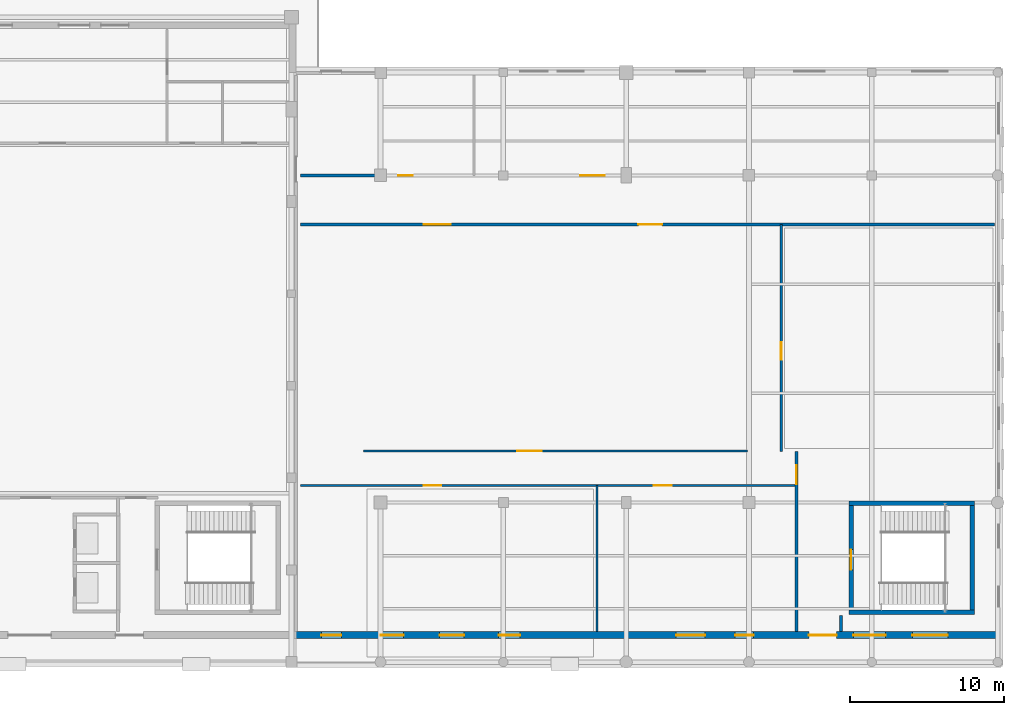
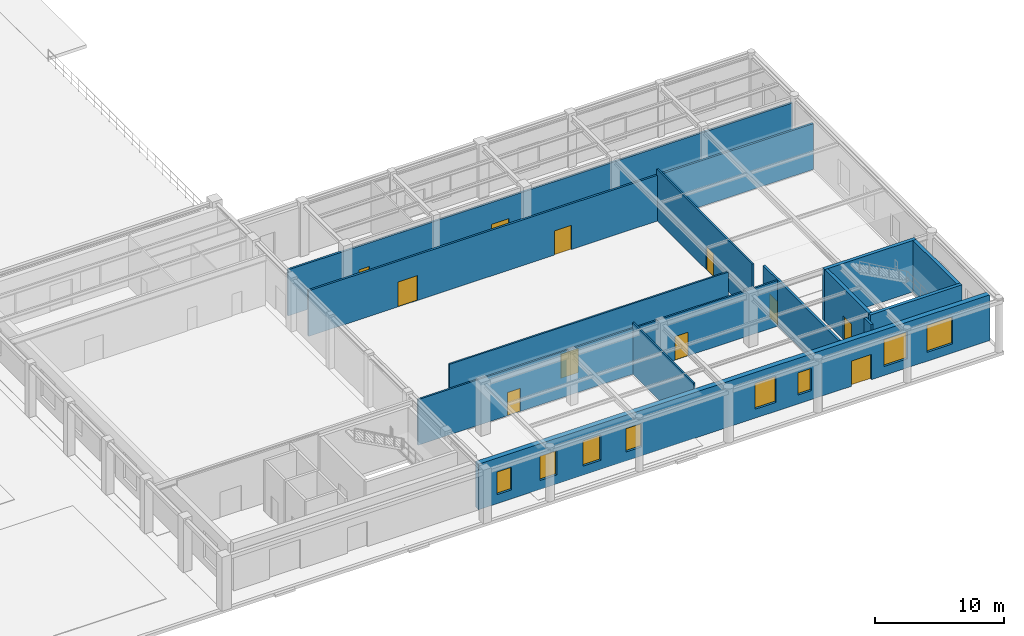
# One storey, part 49 of 68: 13 walls, 11 doors, 8 windows, 19 openings.
"""IFC4 building model written with IfcOpenShell, lengths in metres."""

import ifcopenshell
import ifcopenshell.guid

model = None  # the IFC model being written
_history = None  # IfcOwnerHistory: only IFC2X3 demands one
_inside = {}  # id of a spatial element -> (the spatial element, [elements in it])
_under = {}  # id of a project, library or spatial element -> (it, [spatial elements below it])
_declared = {}  # id of a project -> (the project, [libraries it declares])
_typed = {}  # id of a type object -> (the type object, [elements of that type])
_made_of = {}  # id of a material, layer set ... -> (it, [elements and type objects made of it])


def new_model(schema):
    """Start an empty IFC model of exactly this schema.

    Asked for "IFC4X3", IfcOpenShell would pick the latest addendum, in which some entities
    have other attributes; the version numbers below select the first issue.
    IFC2X3 requires an IfcOwnerHistory on every rooted entity: one is made here for all.
    """
    global model, _history
    if schema == "IFC4X3":
        model = ifcopenshell.file(schema_version=(4, 3, 0, 0))
    else:
        model = ifcopenshell.file(schema=schema)
    _inside.clear()
    _under.clear()
    _declared.clear()
    _typed.clear()
    _made_of.clear()
    _history = None
    if model.schema == "IFC2X3":
        org = make("IfcOrganization", Name="unknown")
        user = make(
            "IfcPersonAndOrganization",
            ThePerson=make("IfcPerson", FamilyName="unknown"),
            TheOrganization=org,
        )
        app = make(
            "IfcApplication",
            ApplicationDeveloper=org,
            Version="unknown",
            ApplicationFullName="unknown",
            ApplicationIdentifier="unknown",
        )
        _history = make(
            "IfcOwnerHistory",
            OwningUser=user,
            OwningApplication=app,
            ChangeAction="ADDED",
            CreationDate=0,
        )
    return model


def make(cls, **values):
    """One entity of the class cls with the attributes given. An attribute that is None is left unset."""
    return model.create_entity(
        cls, **{name: value for name, value in values.items() if value is not None}
    )


def rooted(cls, **values):
    """An entity with a GlobalId (a new one), such as an element, a storey or a relation."""
    return make(cls, GlobalId=ifcopenshell.guid.new(), OwnerHistory=_history, **values)


def si_unit(unit_type, name, prefix=None):
    """IfcSIUnit, for example si_unit("LENGTHUNIT", "METRE", prefix="MILLI")."""
    return make("IfcSIUnit", UnitType=unit_type, Prefix=prefix, Name=name)


def assignment(units):
    """IfcUnitAssignment: the units of a project."""
    return None if units is None else make("IfcUnitAssignment", Units=units)


def point(xyz):
    """IfcCartesianPoint."""
    return None if xyz is None else make("IfcCartesianPoint", Coordinates=xyz)


def direction(xyz):
    """IfcDirection."""
    return None if xyz is None else make("IfcDirection", DirectionRatios=xyz)


def frame(location, z_axis=None, x_axis=None):
    """IfcAxis2Placement3D, a coordinate frame: its origin and axes. An axis left out is left unset."""
    return make(
        "IfcAxis2Placement3D",
        Location=point(location),
        Axis=direction(z_axis),
        RefDirection=direction(x_axis),
    )


def frame_2d(location, x_axis=None):
    """IfcAxis2Placement2D, a coordinate frame in the plane: its origin and x axis."""
    return make(
        "IfcAxis2Placement2D", Location=point(location), RefDirection=direction(x_axis)
    )


def origin():
    """The frame at (0, 0, 0) with its axes left unset."""
    return frame((0.0, 0.0, 0.0))


def place(relative_to, where):
    """IfcLocalPlacement: puts the frame where relative to a parent placement (None: the world)."""
    return make(
        "IfcLocalPlacement", PlacementRelTo=relative_to, RelativePlacement=where
    )


def context(
    kind, dimensions, precision=None, world=None, true_north=None, identifier=None
):
    """IfcGeometricRepresentationContext, for example the 3D "Model" context."""
    return make(
        "IfcGeometricRepresentationContext",
        ContextIdentifier=identifier,
        ContextType=kind,
        CoordinateSpaceDimension=dimensions,
        Precision=precision,
        WorldCoordinateSystem=world,
        TrueNorth=true_north,
    )


def subcontext(parent, identifier, kind, view, scale=None):
    """IfcGeometricRepresentationSubContext, for example "Body" below "Model"."""
    return make(
        "IfcGeometricRepresentationSubContext",
        ContextIdentifier=identifier,
        ContextType=kind,
        ParentContext=parent,
        TargetScale=scale,
        TargetView=view,
    )


def project(units=None, contexts=None):
    """IfcProject with its units and contexts."""
    return rooted(
        "IfcProject",
        Name="project",
        RepresentationContexts=contexts,
        UnitsInContext=assignment(units),
    )


def spatial(cls, under=None, at=None, **own):
    """A site, building, storey or space (cls), placed at a placement, below another one or the project."""
    s = rooted(cls, ObjectPlacement=at, **own)
    if under is not None:
        _under.setdefault(under.id(), (under, []))[1].append(s)
    return s


def profile(cls, at=None, kind="AREA", **sizes):
    """A parametric profile (cls). Its sizes go by their IFC names, for example OverallWidth=200.0."""
    return make(cls, ProfileType=kind, Position=at, **sizes)


def rectangle(**sizes):
    """IfcRectangleProfileDef."""
    return profile("IfcRectangleProfileDef", **sizes)


def extrude(swept, where, along, depth):
    """IfcExtrudedAreaSolid: the profile swept, set in the frame where, extruded along a direction by depth."""
    return make(
        "IfcExtrudedAreaSolid",
        SweptArea=swept,
        Position=where,
        ExtrudedDirection=direction(along),
        Depth=depth,
    )


def shape(context_of_items, identifier, shape_type, items):
    """IfcShapeRepresentation: the items that make up one representation, for example the "Body"."""
    return make(
        "IfcShapeRepresentation",
        ContextOfItems=context_of_items,
        RepresentationIdentifier=identifier,
        RepresentationType=shape_type,
        Items=items,
    )


def material(Name=None, Category=None):
    """IfcMaterial."""
    return make("IfcMaterial", Name=Name, Category=Category)


def layer(
    of_material, thickness, ventilated=None, Name=None, Category=None, Priority=None
):
    """IfcMaterialLayer: one layer of a wall or slab, of a material (None: an air gap)."""
    return make(
        "IfcMaterialLayer",
        Material=of_material,
        LayerThickness=thickness,
        IsVentilated=ventilated,
        Name=Name,
        Category=Category,
        Priority=Priority,
    )


def layer_set(layers, Name=None):
    """IfcMaterialLayerSet."""
    return make("IfcMaterialLayerSet", MaterialLayers=layers, LayerSetName=Name)


def made_of(thing, what):
    """Note that an element or type object is made of a material, layer set ...; save() writes the relation."""
    if what is not None:
        _made_of.setdefault(what.id(), (what, []))[1].append(thing)
    return thing


def type_object(cls, material=None, **own):
    """A type object (cls), such as IfcWallType, which elements share."""
    return made_of(rooted(cls, **own), material)


def element(
    cls,
    number,
    at=None,
    inside=None,
    cuts=None,
    type_object=None,
    material=None,
    context=None,
    identifier="Body",
    shape_type=None,
    held_by="IfcProductDefinitionShape",
    body=None,
    shapes=None,
    **own,
):
    """One element of the class cls, such as IfcWall. Its Tag is "e" and its number.

    at: its placement. inside: the storey or other place that contains it. cuts: it is an
    opening in that element (IfcRelVoidsElement). A single representation is given by context,
    identifier, shape_type and body (its items); several are given by shapes. held_by: the class
    of the entity that holds the representations. save() writes the other relations.
    """
    e = rooted(cls, Tag="e%d" % number, ObjectPlacement=at, **own)
    if body is not None:
        shapes = [shape(context, identifier, shape_type, body)]
    if shapes is not None:
        e.Representation = make(held_by, Representations=shapes)
    if inside is not None:
        _inside.setdefault(inside.id(), (inside, []))[1].append(e)
    if cuts is not None:
        rooted(
            "IfcRelVoidsElement", RelatingBuildingElement=cuts, RelatedOpeningElement=e
        )
    if type_object is not None:
        _typed.setdefault(type_object.id(), (type_object, []))[1].append(e)
    return made_of(e, material)


def fill(opening, filler):
    """IfcRelFillsElement: the door or window that sits in an opening."""
    return rooted(
        "IfcRelFillsElement",
        RelatingOpeningElement=opening,
        RelatedBuildingElement=filler,
    )


def aggregate(whole, parts):
    """IfcRelAggregates: a whole, such as a stair, and the parts it consists of."""
    return rooted("IfcRelAggregates", RelatingObject=whole, RelatedObjects=parts)


def save(model, path):
    """Write the relations noted so far, then the file.

    IfcRelAggregates (storeys below a building ...), IfcRelContainedInSpatialStructure (elements
    in a storey), IfcRelDefinesByType, IfcRelAssociatesMaterial and IfcRelDeclares: one each for
    every whole, place, type object, material and project.
    """
    for whole, parts in _under.values():
        aggregate(whole, parts)
    for where, things in _inside.values():
        rooted(
            "IfcRelContainedInSpatialStructure",
            RelatedElements=things,
            RelatingStructure=where,
        )
    for kind, things in _typed.values():
        rooted("IfcRelDefinesByType", RelatedObjects=things, RelatingType=kind)
    for what, things in _made_of.values():
        rooted("IfcRelAssociatesMaterial", RelatedObjects=things, RelatingMaterial=what)
    for by, libraries in _declared.values():
        rooted("IfcRelDeclares", RelatingContext=by, RelatedDefinitions=libraries)
    model.write(path)


model = new_model("IFC4")

# Units and contexts
model_context = context("Model", 3, precision=1e-05, world=origin(), true_north=direction((0.0, 1.0)))
body_context = subcontext(model_context, "Body", "Model", "MODEL_VIEW")
ifc_project = project(units=[si_unit("LENGTHUNIT", "METRE"), si_unit("AREAUNIT", "SQUARE_METRE"), si_unit("VOLUMEUNIT", "CUBIC_METRE"), si_unit("PLANEANGLEUNIT", "RADIAN"), si_unit("MASSUNIT", "GRAM", prefix="KILO"), si_unit("THERMODYNAMICTEMPERATUREUNIT", "KELVIN"), si_unit("POWERUNIT", "WATT")], contexts=[model_context])

# Site, building, storey
site_placement = place(None, origin())
site = spatial("IfcSite", under=ifc_project, at=site_placement, CompositionType="ELEMENT")
building_placement = place(site_placement, origin())
building = spatial("IfcBuilding", under=site, at=building_placement, Name="Solvatero Civic Police Headquarters", CompositionType="ELEMENT")
storey_placement = place(building_placement, origin())
storey = spatial("IfcBuildingStorey", under=building, at=storey_placement, Name="L00", CompositionType="ELEMENT", Elevation=0.0)

# Wall, openings, door, windows
ifc_material_1 = material(Name="Grey Sandstone Ashlar", Category="masonry")
ifc_layer_1 = layer(ifc_material_1, 0.449951171875)
ifc_layer_set_1 = layer_set([ifc_layer_1], Name="Grey Sandstone Ashlar")
wall_type_1 = type_object("IfcWallType", Name="WL-EXT-SAND-450", PredefinedType="SOLIDWALL", material=ifc_layer_set_1)
wall_1_placement = place(storey_placement, frame((122.5, 6.550048828125, 0.0), z_axis=(0.0, 0.0, 1.0), x_axis=(1.0, 0.0, 0.0)))
wall_1 = element("IfcWall", 1, at=wall_1_placement, inside=storey, type_object=wall_type_1, Name="Exterior Wall WLE-L00-V3-S", PredefinedType="SOLIDWALL", context=body_context, shape_type="SweptSolid", body=[
    extrude(rectangle(XDim=45.780029296875, YDim=0.449951171875, at=frame_2d((22.89013671875, 0.0))), origin(), (0.0, 0.0, 1.0), 4.327880859375),
])
opening_1_placement = place(wall_1_placement, frame((35.199951171875, 0.0, 0.0), z_axis=(0.0, 0.0, 1.0), x_axis=(-1.0, 0.0, 0.0)))
opening_1 = element("IfcOpeningElement", 2, at=opening_1_placement, cuts=wall_1, Name="Opening ED-04", PredefinedType="OPENING", context=body_context, shape_type="SweptSolid", body=[
    extrude(rectangle(XDim=1.800048828125, YDim=2.39990234375, at=frame_2d((0.89990234375, 1.199951171875))), frame((0.0, 0.23486328125, 0.0), z_axis=(0.0, -1.0, 0.0), x_axis=(1.0, 0.0, 0.0)), (0.0, 0.0, 1.0), 0.469970703125),
])
opening_2_placement = place(wall_1_placement, frame((1.64990234375, 0.0, 0.85009765625)))
opening_2 = element("IfcOpeningElement", 3, at=opening_2_placement, cuts=wall_1, Name="Opening W-13", PredefinedType="OPENING", context=body_context, shape_type="SweptSolid", body=[
    extrude(rectangle(XDim=1.300048828125, YDim=2.14990234375, at=frame_2d((0.64990234375, 1.074951171875))), frame((0.0, 0.23486328125, 0.0), z_axis=(0.0, -1.0, 0.0), x_axis=(1.0, 0.0, 0.0)), (0.0, 0.0, 1.0), 0.469970703125),
])
opening_3_placement = place(wall_1_placement, frame((5.5, 0.0, 0.85009765625)))
opening_3 = element("IfcOpeningElement", 4, at=opening_3_placement, cuts=wall_1, Name="Opening W-03", PredefinedType="OPENING", context=body_context, shape_type="SweptSolid", body=[
    extrude(rectangle(XDim=1.5, YDim=2.300048828125, at=frame_2d((0.75, 1.14990234375))), frame((0.0, 0.23486328125, 0.0), z_axis=(0.0, -1.0, 0.0), x_axis=(1.0, 0.0, 0.0)), (0.0, 0.0, 1.0), 0.469970703125),
])
opening_4_placement = place(wall_1_placement, frame((9.35009765625, 0.0, 0.85009765625)))
opening_4 = element("IfcOpeningElement", 5, at=opening_4_placement, cuts=wall_1, Name="Opening W-04", PredefinedType="OPENING", context=body_context, shape_type="SweptSolid", body=[
    extrude(rectangle(XDim=1.60009765625, YDim=2.39990234375, at=frame_2d((0.800048828125, 1.199951171875))), frame((0.0, 0.23486328125, 0.0), z_axis=(0.0, -1.0, 0.0), x_axis=(1.0, 0.0, 0.0)), (0.0, 0.0, 1.0), 0.469970703125),
])
opening_5_placement = place(wall_1_placement, frame((13.199951171875, 0.0, 0.85009765625)))
opening_5 = element("IfcOpeningElement", 6, at=opening_5_placement, cuts=wall_1, Name="Opening W-02", PredefinedType="OPENING", context=body_context, shape_type="SweptSolid", body=[
    extrude(rectangle(XDim=1.39990234375, YDim=2.199951171875, at=frame_2d((0.699951171875, 1.10009765625))), frame((0.0, 0.23486328125, 0.0), z_axis=(0.0, -1.0, 0.0), x_axis=(1.0, 0.0, 0.0)), (0.0, 0.0, 1.0), 0.469970703125),
])
opening_6_placement = place(wall_1_placement, frame((24.75, 0.0, 0.85009765625)))
opening_6 = element("IfcOpeningElement", 7, at=opening_6_placement, cuts=wall_1, Name="Opening W-15", PredefinedType="OPENING", context=body_context, shape_type="SweptSolid", body=[
    extrude(rectangle(XDim=1.89990234375, YDim=2.449951171875, at=frame_2d((0.949951171875, 1.22509765625))), frame((0.0, 0.23486328125, 0.0), z_axis=(0.0, -1.0, 0.0), x_axis=(1.0, 0.0, 0.0)), (0.0, 0.0, 1.0), 0.469970703125),
])
opening_7_placement = place(wall_1_placement, frame((28.60009765625, 0.0, 0.85009765625)))
opening_7 = element("IfcOpeningElement", 8, at=opening_7_placement, cuts=wall_1, Name="Opening W-01", PredefinedType="OPENING", context=body_context, shape_type="SweptSolid", body=[
    extrude(rectangle(XDim=1.199951171875, YDim=2.10009765625, at=frame_2d((0.60009765625, 1.050048828125))), frame((0.0, 0.23486328125, 0.0), z_axis=(0.0, -1.0, 0.0), x_axis=(1.0, 0.0, 0.0)), (0.0, 0.0, 1.0), 0.469970703125),
])
opening_8_placement = place(wall_1_placement, frame((36.300048828125, 0.0, 0.85009765625)))
opening_8 = element("IfcOpeningElement", 9, at=opening_8_placement, cuts=wall_1, Name="Opening W-16", PredefinedType="OPENING", context=body_context, shape_type="SweptSolid", body=[
    extrude(rectangle(XDim=2.10009765625, YDim=2.550048828125, at=frame_2d((1.050048828125, 1.27490234375))), frame((0.0, 0.23486328125, 0.0), z_axis=(0.0, -1.0, 0.0), x_axis=(1.0, 0.0, 0.0)), (0.0, 0.0, 1.0), 0.469970703125),
])
opening_9_placement = place(wall_1_placement, frame((40.14990234375, 0.0, 0.85009765625)))
opening_9 = element("IfcOpeningElement", 10, at=opening_9_placement, cuts=wall_1, Name="Opening W-17", PredefinedType="OPENING", context=body_context, shape_type="SweptSolid", body=[
    extrude(rectangle(XDim=2.300048828125, YDim=2.550048828125, at=frame_2d((1.14990234375, 1.27490234375))), frame((0.0, 0.23486328125, 0.0), z_axis=(0.0, -1.0, 0.0), x_axis=(1.0, 0.0, 0.0)), (0.0, 0.0, 1.0), 0.469970703125),
])
ifc_material_2 = material(Name="Anodized Bronze Aluminium and Laminated Glass", Category="aluminium")
door_type_1 = type_object("IfcDoorType", Name="DR-EXT-180x240", OperationType="DOUBLE_DOOR_SINGLE_SWING", PredefinedType="DOOR", material=ifc_material_2)
door_1_placement = place(opening_1_placement, origin())
door_1 = element("IfcDoor", 11, at=door_1_placement, inside=storey, type_object=door_type_1, Name="Exterior Door DR-L00-C6-EXIT", OperationType="DOUBLE_DOOR_SINGLE_SWING", OverallHeight=2.39990234375, OverallWidth=1.800048828125, PredefinedType="DOOR", context=body_context, shape_type="SweptSolid", body=[
    extrude(rectangle(XDim=1.800048828125, YDim=2.39990234375, at=frame_2d((0.89990234375, 1.199951171875))), frame((0.0, 0.02490234375, 0.0), z_axis=(0.0, -1.0, 0.0), x_axis=(1.0, 0.0, 0.0)), (0.0, 0.0, 1.0), 0.050048828125),
])
fill(opening_1, door_1)
ifc_material_3 = material(Name="Anodized Bronze Aluminium", Category="aluminium")
window_type_1 = type_object("IfcWindowType", Name="WN-CL-120x210", PartitioningType="SINGLE_PANEL", PredefinedType="WINDOW", material=ifc_material_3)
window_1_placement = place(opening_7_placement, origin())
window_1 = element("IfcWindow", 12, at=window_1_placement, inside=storey, type_object=window_type_1, Name="Exterior Window 0236", OverallHeight=2.10009765625, OverallWidth=1.199951171875, PartitioningType="SINGLE_PANEL", PredefinedType="WINDOW", context=body_context, shape_type="SweptSolid", body=[
    extrude(rectangle(XDim=1.199951171875, YDim=2.10009765625, at=frame_2d((0.60009765625, 1.050048828125))), frame((0.0, 0.030029296875, 0.0), z_axis=(0.0, -1.0, 0.0), x_axis=(1.0, 0.0, 0.0)), (0.0, 0.0, 1.0), 0.06005859375),
])
fill(opening_7, window_1)
window_type_2 = type_object("IfcWindowType", Name="WN-CL-130x215", PartitioningType="SINGLE_PANEL", PredefinedType="WINDOW", material=ifc_material_3)
window_2_placement = place(opening_2_placement, origin())
window_2 = element("IfcWindow", 13, at=window_2_placement, inside=storey, type_object=window_type_2, Name="Exterior Window 0231", OverallHeight=2.14990234375, OverallWidth=1.300048828125, PartitioningType="SINGLE_PANEL", PredefinedType="WINDOW", context=body_context, shape_type="SweptSolid", body=[
    extrude(rectangle(XDim=1.300048828125, YDim=2.14990234375, at=frame_2d((0.64990234375, 1.074951171875))), frame((0.0, 0.030029296875, 0.0), z_axis=(0.0, -1.0, 0.0), x_axis=(1.0, 0.0, 0.0)), (0.0, 0.0, 1.0), 0.06005859375),
])
fill(opening_2, window_2)
window_type_3 = type_object("IfcWindowType", Name="WN-CL-140x220", PartitioningType="SINGLE_PANEL", PredefinedType="WINDOW", material=ifc_material_3)
window_3_placement = place(opening_5_placement, origin())
window_3 = element("IfcWindow", 14, at=window_3_placement, inside=storey, type_object=window_type_3, Name="Exterior Window 0234", OverallHeight=2.199951171875, OverallWidth=1.39990234375, PartitioningType="SINGLE_PANEL", PredefinedType="WINDOW", context=body_context, shape_type="SweptSolid", body=[
    extrude(rectangle(XDim=1.39990234375, YDim=2.199951171875, at=frame_2d((0.699951171875, 1.10009765625))), frame((0.0, 0.030029296875, 0.0), z_axis=(0.0, -1.0, 0.0), x_axis=(1.0, 0.0, 0.0)), (0.0, 0.0, 1.0), 0.06005859375),
])
fill(opening_5, window_3)
window_type_4 = type_object("IfcWindowType", Name="WN-CL-150x230", PartitioningType="SINGLE_PANEL", PredefinedType="WINDOW", material=ifc_material_3)
window_4_placement = place(opening_3_placement, origin())
window_4 = element("IfcWindow", 15, at=window_4_placement, inside=storey, type_object=window_type_4, Name="Exterior Window 0232", OverallHeight=2.300048828125, OverallWidth=1.5, PartitioningType="SINGLE_PANEL", PredefinedType="WINDOW", context=body_context, shape_type="SweptSolid", body=[
    extrude(rectangle(XDim=1.5, YDim=2.300048828125, at=frame_2d((0.75, 1.14990234375))), frame((0.0, 0.030029296875, 0.0), z_axis=(0.0, -1.0, 0.0), x_axis=(1.0, 0.0, 0.0)), (0.0, 0.0, 1.0), 0.06005859375),
])
fill(opening_3, window_4)
window_type_5 = type_object("IfcWindowType", Name="WN-CL-160x240", PartitioningType="SINGLE_PANEL", PredefinedType="WINDOW", material=ifc_material_3)
window_5_placement = place(opening_4_placement, origin())
window_5 = element("IfcWindow", 16, at=window_5_placement, inside=storey, type_object=window_type_5, Name="Exterior Window 0233", OverallHeight=2.39990234375, OverallWidth=1.60009765625, PartitioningType="SINGLE_PANEL", PredefinedType="WINDOW", context=body_context, shape_type="SweptSolid", body=[
    extrude(rectangle(XDim=1.60009765625, YDim=2.39990234375, at=frame_2d((0.800048828125, 1.199951171875))), frame((0.0, 0.030029296875, 0.0), z_axis=(0.0, -1.0, 0.0), x_axis=(1.0, 0.0, 0.0)), (0.0, 0.0, 1.0), 0.06005859375),
])
fill(opening_4, window_5)
window_type_6 = type_object("IfcWindowType", Name="WN-CL-190x245", PartitioningType="SINGLE_PANEL", PredefinedType="WINDOW", material=ifc_material_3)
window_6_placement = place(opening_6_placement, origin())
window_6 = element("IfcWindow", 17, at=window_6_placement, inside=storey, type_object=window_type_6, Name="Exterior Window 0235", OverallHeight=2.449951171875, OverallWidth=1.89990234375, PartitioningType="SINGLE_PANEL", PredefinedType="WINDOW", context=body_context, shape_type="SweptSolid", body=[
    extrude(rectangle(XDim=1.89990234375, YDim=2.449951171875, at=frame_2d((0.949951171875, 1.22509765625))), frame((0.0, 0.030029296875, 0.0), z_axis=(0.0, -1.0, 0.0), x_axis=(1.0, 0.0, 0.0)), (0.0, 0.0, 1.0), 0.06005859375),
])
fill(opening_6, window_6)
window_type_7 = type_object("IfcWindowType", Name="WN-CL-210x255", PartitioningType="SINGLE_PANEL", PredefinedType="WINDOW", material=ifc_material_3)
window_7_placement = place(opening_8_placement, origin())
window_7 = element("IfcWindow", 18, at=window_7_placement, inside=storey, type_object=window_type_7, Name="Exterior Window 0237", OverallHeight=2.550048828125, OverallWidth=2.10009765625, PartitioningType="SINGLE_PANEL", PredefinedType="WINDOW", context=body_context, shape_type="SweptSolid", body=[
    extrude(rectangle(XDim=2.10009765625, YDim=2.550048828125, at=frame_2d((1.050048828125, 1.27490234375))), frame((0.0, 0.030029296875, 0.0), z_axis=(0.0, -1.0, 0.0), x_axis=(1.0, 0.0, 0.0)), (0.0, 0.0, 1.0), 0.06005859375),
])
fill(opening_8, window_7)
window_type_8 = type_object("IfcWindowType", Name="WN-CL-230x255", PartitioningType="SINGLE_PANEL", PredefinedType="WINDOW", material=ifc_material_3)
window_8_placement = place(opening_9_placement, origin())
window_8 = element("IfcWindow", 19, at=window_8_placement, inside=storey, type_object=window_type_8, Name="Exterior Window 0238", OverallHeight=2.550048828125, OverallWidth=2.300048828125, PartitioningType="SINGLE_PANEL", PredefinedType="WINDOW", context=body_context, shape_type="SweptSolid", body=[
    extrude(rectangle(XDim=2.300048828125, YDim=2.550048828125, at=frame_2d((1.14990234375, 1.27490234375))), frame((0.0, 0.030029296875, 0.0), z_axis=(0.0, -1.0, 0.0), x_axis=(1.0, 0.0, 0.0)), (0.0, 0.0, 1.0), 0.06005859375),
])
fill(opening_9, window_8)

# Wall
ifc_material_4 = material(Name="Gypsum Double-Stud", Category="gypsum")
ifc_layer_2 = layer(ifc_material_4, 0.135009765625)
ifc_layer_set_2 = layer_set([ifc_layer_2], Name="Gypsum Double-Stud")
wall_type_2 = type_object("IfcWallType", Name="WL-PTN-135", PredefinedType="PARTITIONING", material=ifc_layer_set_2)
wall_2_placement = place(storey_placement, frame((142.10009765625, 6.800048828125, 0.0), z_axis=(0.0, 0.0, 1.0), x_axis=(0.0, 1.0, 0.0)))
element("IfcWall", 20, at=wall_2_placement, inside=storey, type_object=wall_type_2, Name="Interior Partition WLP-L00-LCK-DIV", PredefinedType="PARTITIONING", context=body_context, shape_type="SweptSolid", body=[
    extrude(rectangle(XDim=9.5, YDim=0.135009765625, at=frame_2d((4.75, 0.0))), origin(), (0.0, 0.0, 1.0), 4.860107421875),
])

# Wall, openings, doors
ifc_material_5 = material(Name="Gypsum Acoustic Stud", Category="gypsum")
ifc_layer_3 = layer(ifc_material_5, 0.14990234375)
ifc_layer_set_3 = layer_set([ifc_layer_3], Name="Gypsum Acoustic Stud")
wall_type_3 = type_object("IfcWallType", Name="WL-PTN-150", PredefinedType="PARTITIONING", material=ifc_layer_set_3)
wall_3_placement = place(storey_placement, frame((122.800048828125, 16.300048828125, 0.0), z_axis=(0.0, 0.0, 1.0), x_axis=(1.0, 0.0, 0.0)))
wall_3 = element("IfcWall", 21, at=wall_3_placement, inside=storey, type_object=wall_type_3, Name="Interior Partition WLP-L00-LCK-N", PredefinedType="PARTITIONING", context=body_context, shape_type="SweptSolid", body=[
    extrude(rectangle(XDim=32.199951171875, YDim=0.14990234375, at=frame_2d((16.10009765625, 0.0))), origin(), (0.0, 0.0, 1.0), 4.327880859375),
])
opening_10_placement = place(wall_3_placement, frame((8.0, 0.0, 0.0)))
opening_10 = element("IfcOpeningElement", 22, at=opening_10_placement, cuts=wall_3, Name="Opening ID-10", PredefinedType="OPENING", context=body_context, shape_type="SweptSolid", body=[
    extrude(rectangle(XDim=1.14990234375, YDim=2.199951171875, at=frame_2d((0.574951171875, 1.10009765625))), frame((0.0, 0.0849609375, 0.0), z_axis=(0.0, -1.0, 0.0), x_axis=(1.0, 0.0, 0.0)), (0.0, 0.0, 1.0), 0.169921875),
])
opening_11_placement = place(wall_3_placement, frame((23.0, 0.0, 0.0)))
opening_11 = element("IfcOpeningElement", 23, at=opening_11_placement, cuts=wall_3, Name="Opening ID-11", PredefinedType="OPENING", context=body_context, shape_type="SweptSolid", body=[
    extrude(rectangle(XDim=1.179931640625, YDim=2.239990234375, at=frame_2d((0.58984375, 1.1201171875))), frame((0.0, 0.0849609375, 0.0), z_axis=(0.0, -1.0, 0.0), x_axis=(1.0, 0.0, 0.0)), (0.0, 0.0, 1.0), 0.169921875),
])
ifc_material_6 = material(Name="Powder-Coated Steel", Category="steel")
door_type_2 = type_object("IfcDoorType", Name="DR-COR-115x220", OperationType="NOTDEFINED", PredefinedType="DOOR", material=ifc_material_6)
door_2_placement = place(opening_10_placement, origin())
door_2 = element("IfcDoor", 24, at=door_2_placement, inside=storey, type_object=door_type_2, Name="Interior Door DR-L00-LCKM", OperationType="SINGLE_SWING_LEFT", OverallHeight=2.199951171875, OverallWidth=1.14990234375, PredefinedType="DOOR", context=body_context, shape_type="SweptSolid", body=[
    extrude(rectangle(XDim=1.14990234375, YDim=2.199951171875, at=frame_2d((0.574951171875, 1.10009765625))), frame((0.0, 0.02490234375, 0.0), z_axis=(0.0, -1.0, 0.0), x_axis=(1.0, 0.0, 0.0)), (0.0, 0.0, 1.0), 0.050048828125),
])
fill(opening_10, door_2)
door_type_3 = type_object("IfcDoorType", Name="DR-COR-118x224", OperationType="NOTDEFINED", PredefinedType="DOOR", material=ifc_material_6)
door_3_placement = place(opening_11_placement, origin())
door_3 = element("IfcDoor", 25, at=door_3_placement, inside=storey, type_object=door_type_3, Name="Interior Door DR-L00-LCKF", OperationType="SINGLE_SWING_RIGHT", OverallHeight=2.239990234375, OverallWidth=1.179931640625, PredefinedType="DOOR", context=body_context, shape_type="SweptSolid", body=[
    extrude(rectangle(XDim=1.179931640625, YDim=2.239990234375, at=frame_2d((0.58984375, 1.1201171875))), frame((0.0, 0.02490234375, 0.0), z_axis=(0.0, -1.0, 0.0), x_axis=(1.0, 0.0, 0.0)), (0.0, 0.0, 1.0), 0.050048828125),
])
fill(opening_11, door_3)

# Wall, opening, door
wall_4_placement = place(storey_placement, frame((126.89990234375, 18.550048828125, 0.0), z_axis=(0.0, 0.0, 1.0), x_axis=(1.0, 0.0, 0.0)))
wall_4 = element("IfcWall", 26, at=wall_4_placement, inside=storey, type_object=wall_type_3, Name="Interior Partition WLP-L00-GYM-SH", PredefinedType="PARTITIONING", context=body_context, shape_type="SweptSolid", body=[
    extrude(rectangle(XDim=25.0, YDim=0.14990234375, at=frame_2d((12.5, 0.0))), origin(), (0.0, 0.0, 1.0), 4.860107421875),
])
opening_12_placement = place(wall_4_placement, frame((10.0, 0.0, 0.0)))
opening_12 = element("IfcOpeningElement", 27, at=opening_12_placement, cuts=wall_4, Name="Opening ID-15", PredefinedType="OPENING", context=body_context, shape_type="SweptSolid", body=[
    extrude(rectangle(XDim=1.60009765625, YDim=2.300048828125, at=frame_2d((0.800048828125, 1.14990234375))), frame((0.0, 0.0849609375, 0.0), z_axis=(0.0, -1.0, 0.0), x_axis=(1.0, 0.0, 0.0)), (0.0, 0.0, 1.0), 0.169921875),
])
door_type_4 = type_object("IfcDoorType", Name="DR-DBL-160x230", OperationType="NOTDEFINED", PredefinedType="DOOR", material=ifc_material_6)
door_4_placement = place(opening_12_placement, origin())
door_4 = element("IfcDoor", 28, at=door_4_placement, inside=storey, type_object=door_type_4, Name="Interior Door DR-L00-GYMS", OperationType="DOUBLE_DOOR_SINGLE_SWING", OverallHeight=2.300048828125, OverallWidth=1.60009765625, PredefinedType="DOOR", context=body_context, shape_type="SweptSolid", body=[
    extrude(rectangle(XDim=1.60009765625, YDim=2.300048828125, at=frame_2d((0.800048828125, 1.14990234375))), frame((0.0, 0.02490234375, 0.0), z_axis=(0.0, -1.0, 0.0), x_axis=(1.0, 0.0, 0.0)), (0.0, 0.0, 1.0), 0.050048828125),
])
fill(opening_12, door_4)

wall_5_placement = place(storey_placement, frame((154.10009765625, 18.5, 0.0), z_axis=(0.0, 0.0, 1.0), x_axis=(0.0, 1.0, 0.0)))
wall_5 = element("IfcWall", 29, at=wall_5_placement, inside=storey, type_object=wall_type_3, Name="Interior Partition WLP-L00-GYM-E", PredefinedType="PARTITIONING", context=body_context, shape_type="SweptSolid", body=[
    extrude(rectangle(XDim=14.800048828125, YDim=0.14990234375, at=frame_2d((7.39990234375, 0.0))), origin(), (0.0, 0.0, 1.0), 4.860107421875),
])
opening_13_placement = place(wall_5_placement, frame((6.0, 0.0, 0.0)))
opening_13 = element("IfcOpeningElement", 30, at=opening_13_placement, cuts=wall_5, Name="Opening ID-09", PredefinedType="OPENING", context=body_context, shape_type="SweptSolid", body=[
    extrude(rectangle(XDim=1.1201171875, YDim=2.199951171875, at=frame_2d((0.56005859375, 1.10009765625))), frame((0.0, 0.0849609375, 0.0), z_axis=(0.0, -1.0, 0.0), x_axis=(1.0, 0.0, 0.0)), (0.0, 0.0, 1.0), 0.169921875),
])
door_type_5 = type_object("IfcDoorType", Name="DR-PLT-112x220", OperationType="NOTDEFINED", PredefinedType="DOOR", material=ifc_material_6)
door_5_placement = place(opening_13_placement, origin())
door_5 = element("IfcDoor", 31, at=door_5_placement, inside=storey, type_object=door_type_5, Name="Interior Door DR-L00-GYMST", OperationType="SINGLE_SWING_LEFT", OverallHeight=2.199951171875, OverallWidth=1.1201171875, PredefinedType="DOOR", context=body_context, shape_type="SweptSolid", body=[
    extrude(rectangle(XDim=1.1201171875, YDim=2.199951171875, at=frame_2d((0.56005859375, 1.10009765625))), frame((0.0, 0.02490234375, 0.0), z_axis=(0.0, -1.0, 0.0), x_axis=(1.0, 0.0, 0.0)), (0.0, 0.0, 1.0), 0.050048828125),
])
fill(opening_13, door_5)

# Wall, openings, doors
ifc_material_7 = material(Name="Concrete Blockwork", Category="masonry")
ifc_layer_4 = layer(ifc_material_7, 0.179931640625)
ifc_layer_set_4 = layer_set([ifc_layer_4], Name="Concrete Blockwork")
wall_type_4 = type_object("IfcWallType", Name="WL-PTN-180", PredefinedType="PARTITIONING", material=ifc_layer_set_4)
wall_6_placement = place(storey_placement, frame((122.800048828125, 33.300048828125, 0.0), z_axis=(0.0, 0.0, 1.0), x_axis=(1.0, 0.0, 0.0)))
wall_6 = element("IfcWall", 32, at=wall_6_placement, inside=storey, type_object=wall_type_4, Name="Interior Partition WLP-L00-GYM-N", PredefinedType="PARTITIONING", context=body_context, shape_type="SweptSolid", body=[
    extrude(rectangle(XDim=45.199951171875, YDim=0.179931640625, at=frame_2d((22.60009765625, 0.0))), origin(), (0.0, 0.0, 1.0), 4.327880859375),
])
opening_14_placement = place(wall_6_placement, frame((8.0, 0.0, 0.0)))
opening_14 = element("IfcOpeningElement", 33, at=opening_14_placement, cuts=wall_6, Name="Opening ID-17", PredefinedType="OPENING", context=body_context, shape_type="SweptSolid", body=[
    extrude(rectangle(XDim=1.760009765625, YDim=2.360107421875, at=frame_2d((0.8798828125, 1.18017578125))), frame((0.0, 0.099853515625, 0.0), z_axis=(0.0, -1.0, 0.0), x_axis=(1.0, 0.0, 0.0)), (0.0, 0.0, 1.0), 0.199951171875),
])
opening_15_placement = place(wall_6_placement, frame((22.0, 0.0, 0.0)))
opening_15 = element("IfcOpeningElement", 34, at=opening_15_placement, cuts=wall_6, Name="Opening ID-14", PredefinedType="OPENING", context=body_context, shape_type="SweptSolid", body=[
    extrude(rectangle(XDim=1.5400390625, YDim=2.300048828125, at=frame_2d((0.77001953125, 1.14990234375))), frame((0.0, 0.099853515625, 0.0), z_axis=(0.0, -1.0, 0.0), x_axis=(1.0, 0.0, 0.0)), (0.0, 0.0, 1.0), 0.199951171875),
])
door_type_6 = type_object("IfcDoorType", Name="DR-DBL-154x230", OperationType="NOTDEFINED", PredefinedType="DOOR", material=ifc_material_6)
door_6_placement = place(opening_15_placement, origin())
door_6 = element("IfcDoor", 35, at=door_6_placement, inside=storey, type_object=door_type_6, Name="Interior Door DR-L00-GYM2", OperationType="DOUBLE_DOOR_SINGLE_SWING", OverallHeight=2.300048828125, OverallWidth=1.5400390625, PredefinedType="DOOR", context=body_context, shape_type="SweptSolid", body=[
    extrude(rectangle(XDim=1.5400390625, YDim=2.300048828125, at=frame_2d((0.77001953125, 1.14990234375))), frame((0.0, 0.02490234375, 0.0), z_axis=(0.0, -1.0, 0.0), x_axis=(1.0, 0.0, 0.0)), (0.0, 0.0, 1.0), 0.050048828125),
])
fill(opening_15, door_6)
door_type_7 = type_object("IfcDoorType", Name="DR-DBL-176x236", OperationType="NOTDEFINED", PredefinedType="DOOR", material=ifc_material_6)
door_7_placement = place(opening_14_placement, origin())
door_7 = element("IfcDoor", 36, at=door_7_placement, inside=storey, type_object=door_type_7, Name="Interior Door DR-L00-GYM1", OperationType="DOUBLE_DOOR_SINGLE_SWING", OverallHeight=2.360107421875, OverallWidth=1.760009765625, PredefinedType="DOOR", context=body_context, shape_type="SweptSolid", body=[
    extrude(rectangle(XDim=1.760009765625, YDim=2.360107421875, at=frame_2d((0.8798828125, 1.18017578125))), frame((0.0, 0.02490234375, 0.0), z_axis=(0.0, -1.0, 0.0), x_axis=(1.0, 0.0, 0.0)), (0.0, 0.0, 1.0), 0.050048828125),
])
fill(opening_14, door_7)

wall_7_placement = place(storey_placement, frame((122.800048828125, 36.5, 0.0), z_axis=(0.0, 0.0, 1.0), x_axis=(1.0, 0.0, 0.0)))
wall_7 = element("IfcWall", 37, at=wall_7_placement, inside=storey, type_object=wall_type_4, Name="Interior Partition WLP-L00-GYM-N2", PredefinedType="PARTITIONING", context=body_context, shape_type="SweptSolid", body=[
    extrude(rectangle(XDim=45.199951171875, YDim=0.179931640625, at=frame_2d((22.60009765625, 0.0))), origin(), (0.0, 0.0, 1.0), 4.3701171875),
])
opening_16_placement = place(wall_7_placement, frame((6.35009765625, 0.0, 0.0)))
opening_16 = element("IfcOpeningElement", 38, at=opening_16_placement, cuts=wall_7, Name="Opening ID-04", PredefinedType="OPENING", context=body_context, shape_type="SweptSolid", body=[
    extrude(rectangle(XDim=0.949951171875, YDim=2.14990234375, at=frame_2d((0.47509765625, 1.074951171875))), frame((0.0, 0.099853515625, 0.0), z_axis=(0.0, -1.0, 0.0), x_axis=(1.0, 0.0, 0.0)), (0.0, 0.0, 1.0), 0.199951171875),
])
opening_17_placement = place(wall_7_placement, frame((18.199951171875, 0.0, 0.0)))
opening_17 = element("IfcOpeningElement", 39, at=opening_17_placement, cuts=wall_7, Name="Opening ID-15", PredefinedType="OPENING", context=body_context, shape_type="SweptSolid", body=[
    extrude(rectangle(XDim=1.60009765625, YDim=2.300048828125, at=frame_2d((0.800048828125, 1.14990234375))), frame((0.0, 0.099853515625, 0.0), z_axis=(0.0, -1.0, 0.0), x_axis=(1.0, 0.0, 0.0)), (0.0, 0.0, 1.0), 0.199951171875),
])
ifc_material_8 = material(Name="Acoustic Oak Timber Veneer", Category="wood")
door_type_8 = type_object("IfcDoorType", Name="DR-ACC-095x215", OperationType="NOTDEFINED", PredefinedType="DOOR", material=ifc_material_8)
door_8_placement = place(opening_16_placement, origin())
door_8 = element("IfcDoor", 40, at=door_8_placement, inside=storey, type_object=door_type_8, Name="Interior Door DR-L00-PHYSIO", OperationType="SINGLE_SWING_RIGHT", OverallHeight=2.14990234375, OverallWidth=0.949951171875, PredefinedType="DOOR", context=body_context, shape_type="SweptSolid", body=[
    extrude(rectangle(XDim=0.949951171875, YDim=2.14990234375, at=frame_2d((0.47509765625, 1.074951171875))), frame((0.0, 0.02490234375, 0.0), z_axis=(0.0, -1.0, 0.0), x_axis=(1.0, 0.0, 0.0)), (0.0, 0.0, 1.0), 0.050048828125),
])
fill(opening_16, door_8)
door_9_placement = place(opening_17_placement, origin())
door_9 = element("IfcDoor", 41, at=door_9_placement, inside=storey, type_object=door_type_4, Name="Interior Door DR-L00-CARDIO", OperationType="DOUBLE_DOOR_SINGLE_SWING", OverallHeight=2.300048828125, OverallWidth=1.60009765625, PredefinedType="DOOR", context=body_context, shape_type="SweptSolid", body=[
    extrude(rectangle(XDim=1.60009765625, YDim=2.300048828125, at=frame_2d((0.800048828125, 1.14990234375))), frame((0.0, 0.02490234375, 0.0), z_axis=(0.0, -1.0, 0.0), x_axis=(1.0, 0.0, 0.0)), (0.0, 0.0, 1.0), 0.050048828125),
])
fill(opening_17, door_9)

# Wall, opening, door
ifc_layer_5 = layer(ifc_material_7, 0.199951171875)
ifc_layer_set_5 = layer_set([ifc_layer_5], Name="Concrete Blockwork")
wall_type_5 = type_object("IfcWallType", Name="WL-PTN-200", PredefinedType="PARTITIONING", material=ifc_layer_set_5)
wall_8_placement = place(storey_placement, frame((155.10009765625, 6.780029296875, 0.0), z_axis=(0.0, 0.0, 1.0), x_axis=(0.0, 1.0, 0.0)))
wall_8 = element("IfcWall", 42, at=wall_8_placement, inside=storey, type_object=wall_type_5, Name="Interior Partition WLP-L00-EXIT-C6-W", PredefinedType="PARTITIONING", context=body_context, shape_type="SweptSolid", body=[
    extrude(rectangle(XDim=11.719970703125, YDim=0.199951171875, at=frame_2d((5.85986328125, 0.0))), origin(), (0.0, 0.0, 1.0), 4.367919921875),
])
opening_18_placement = place(wall_8_placement, frame((9.60009765625, 0.0, 0.0)))
opening_18 = element("IfcOpeningElement", 43, at=opening_18_placement, cuts=wall_8, Name="Opening FD-01", PredefinedType="OPENING", context=body_context, shape_type="SweptSolid", body=[
    extrude(rectangle(XDim=1.25, YDim=2.199951171875, at=frame_2d((0.625, 1.10009765625))), frame((0.0, 0.10986328125, 0.0), z_axis=(0.0, -1.0, 0.0), x_axis=(1.0, 0.0, 0.0)), (0.0, 0.0, 1.0), 0.219970703125),
])
door_type_9 = type_object("IfcDoorType", Name="DR-STR-125x220", OperationType="NOTDEFINED", PredefinedType="DOOR", material=ifc_material_6)
door_10_placement = place(opening_18_placement, origin())
door_10 = element("IfcDoor", 44, at=door_10_placement, inside=storey, type_object=door_type_9, Name="Interior Door DR-L00-C6PASS-IN", OperationType="SINGLE_SWING_LEFT", OverallHeight=2.199951171875, OverallWidth=1.25, PredefinedType="DOOR", context=body_context, shape_type="SweptSolid", body=[
    extrude(rectangle(XDim=1.25, YDim=2.199951171875, at=frame_2d((0.625, 1.10009765625))), frame((0.0, 0.02490234375, 0.0), z_axis=(0.0, -1.0, 0.0), x_axis=(1.0, 0.0, 0.0)), (0.0, 0.0, 1.0), 0.050048828125),
])
fill(opening_18, door_10)

# Walls
wall_9_placement = place(storey_placement, frame((158.0, 6.780029296875, 0.0), z_axis=(0.0, 0.0, 1.0), x_axis=(0.0, 1.0, 0.0)))
element("IfcWall", 45, at=wall_9_placement, inside=storey, type_object=wall_type_5, Name="Interior Partition WLP-L00-EXIT-C6-SE", PredefinedType="PARTITIONING", context=body_context, shape_type="SweptSolid", body=[
    extrude(rectangle(XDim=1.0400390625, YDim=0.199951171875, at=frame_2d((0.52001953125, 0.0))), origin(), (0.0, 0.0, 1.0), 4.860107421875),
])
ifc_material_9 = material(Name="Concrete C40/50", Category="concrete")
ifc_layer_6 = layer(ifc_material_9, 0.300048828125)
ifc_layer_set_6 = layer_set([ifc_layer_6], Name="Concrete C40/50")
wall_type_6 = type_object("IfcWallType", Name="WL-SHR-300", PredefinedType="SHEAR", material=ifc_layer_set_6)
for number, where, z_axis, x_axis, name in (
    (46, (158.5, 8.050048828125, 0.0), (0.0, 0.0, 1.0), (1.0, 0.0, 0.0), "Core C6 Shear Wall S L00"),
    (47, (158.5, 15.14990234375, 0.0), (0.0, 0.0, 1.0), (1.0, 0.0, 0.0), "Core C6 Shear Wall N L00"),
):
    element("IfcWall", number, at=place(storey_placement, frame(where, z_axis=z_axis, x_axis=x_axis)), inside=storey, type_object=wall_type_6, Name=name, PredefinedType="SHEAR", context=body_context, shape_type="SweptSolid", body=[
        extrude(rectangle(XDim=8.199951171875, YDim=0.300048828125, at=frame_2d((4.10009765625, 0.0))), origin(), (0.0, 0.0, 1.0), 4.8798828125),
    ])

# Wall, opening, door
wall_10_placement = place(storey_placement, frame((158.64990234375, 8.199951171875, 0.0), z_axis=(0.0, 0.0, 1.0), x_axis=(0.0, 1.0, 0.0)))
wall_10 = element("IfcWall", 48, at=wall_10_placement, inside=storey, type_object=wall_type_6, Name="Core C6 Shear Wall W L00", PredefinedType="SHEAR", context=body_context, shape_type="SweptSolid", body=[
    extrude(rectangle(XDim=6.800048828125, YDim=0.300048828125, at=frame_2d((3.39990234375, 0.0))), origin(), (0.0, 0.0, 1.0), 4.8798828125),
])
opening_19_placement = place(wall_10_placement, frame((2.60009765625, 0.0, 0.0)))
opening_19 = element("IfcOpeningElement", 49, at=opening_19_placement, cuts=wall_10, Name="Opening FD-03", PredefinedType="OPENING", context=body_context, shape_type="SweptSolid", body=[
    extrude(rectangle(XDim=1.320068359375, YDim=2.239990234375, at=frame_2d((0.66015625, 1.1201171875))), frame((0.0, 0.159912109375, 0.0), z_axis=(0.0, -1.0, 0.0), x_axis=(1.0, 0.0, 0.0)), (0.0, 0.0, 1.0), 0.320068359375),
])
door_type_10 = type_object("IfcDoorType", Name="DR-STR-132x224", OperationType="NOTDEFINED", PredefinedType="DOOR", material=ifc_material_6)
door_11_placement = place(opening_19_placement, origin())
door_11 = element("IfcDoor", 50, at=door_11_placement, inside=storey, type_object=door_type_10, Name="Interior Door DR-STR-C6-L00", OperationType="SINGLE_SWING_RIGHT", OverallHeight=2.239990234375, OverallWidth=1.320068359375, PredefinedType="DOOR", context=body_context, shape_type="SweptSolid", body=[
    extrude(rectangle(XDim=1.320068359375, YDim=2.239990234375, at=frame_2d((0.66015625, 1.1201171875))), frame((0.0, 0.02490234375, 0.0), z_axis=(0.0, -1.0, 0.0), x_axis=(1.0, 0.0, 0.0)), (0.0, 0.0, 1.0), 0.050048828125),
])
fill(opening_19, door_11)

# Wall
wall_11_placement = place(storey_placement, frame((166.550048828125, 8.199951171875, 0.0), z_axis=(0.0, 0.0, 1.0), x_axis=(0.0, 1.0, 0.0)))
element("IfcWall", 51, at=wall_11_placement, inside=storey, type_object=wall_type_6, Name="Core C6 Shear Wall E L00", PredefinedType="SHEAR", context=body_context, shape_type="SweptSolid", body=[
    extrude(rectangle(XDim=6.800048828125, YDim=0.300048828125, at=frame_2d((3.39990234375, 0.0))), origin(), (0.0, 0.0, 1.0), 4.8798828125),
])

save(model, "model.ifc")
